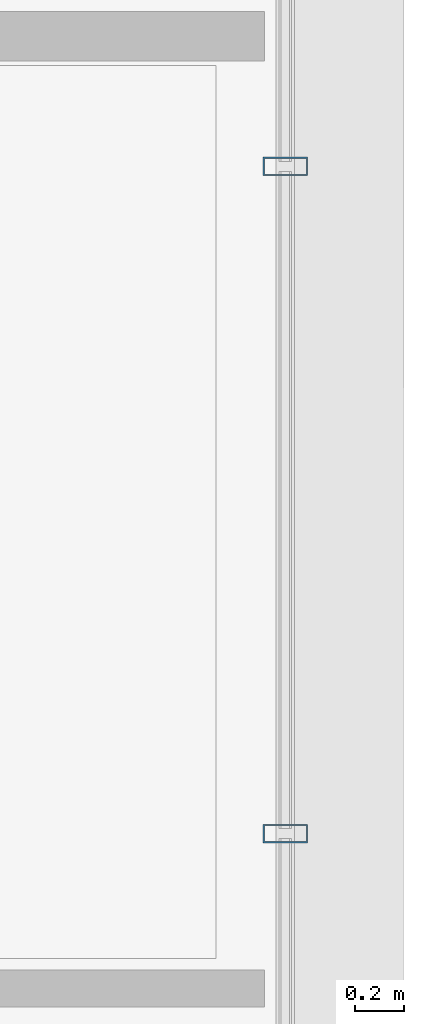
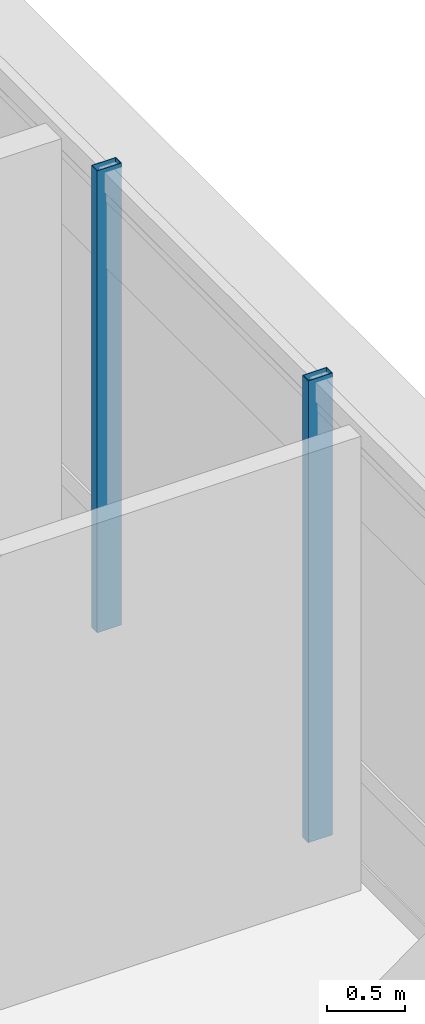
# One storey, part 5 of 14: 2 members, 1 element without a shape of its own.
"""IFC4 building model written with IfcOpenShell, lengths in metres."""

from ifc_helpers import new_model, si_unit, direction, frame, origin, origin_2d, place, context, subcontext, project, spatial, hollow_rectangle, extrude, material, material_profile, profile_set, type_object, element, aggregate, save


model = new_model("IFC4")

# Units and contexts
model_context = context("Model", 3, precision=1e-05, world=origin(), true_north=direction((0.0, 1.0)))
body_context = subcontext(model_context, "Body", "Model", "MODEL_VIEW")
ifc_project = project(units=[si_unit("LENGTHUNIT", "METRE"), si_unit("AREAUNIT", "SQUARE_METRE"), si_unit("VOLUMEUNIT", "CUBIC_METRE"), si_unit("PLANEANGLEUNIT", "RADIAN"), si_unit("MASSUNIT", "GRAM", prefix="KILO")], contexts=[model_context])

# Site, building, storey
site_placement = place(None, origin())
site = spatial("IfcSite", under=ifc_project, at=site_placement, CompositionType="ELEMENT")
building_placement = place(site_placement, origin())
building = spatial("IfcBuilding", under=site, at=building_placement, Name="Zulverin Broadcast Headquarters", CompositionType="ELEMENT")
storey_placement = place(building_placement, frame((0.0, 0.0, 201.0)))
storey = spatial("IfcBuildingStorey", under=building, at=storey_placement, Name="L51", CompositionType="ELEMENT", Elevation=201.0)

# Curtain wall, members
ifc_material_1 = material(Name="Waist wind-pressure unitised curtain wall", Category="aluminium")
curtain_wall_type = type_object("IfcCurtainWallType", Name="CW-TWR-WST", PredefinedType="USERDEFINED", material=ifc_material_1)
curtain_wall_placement = place(storey_placement, origin())
curtain_wall = element("IfcCurtainWall", 1, at=curtain_wall_placement, inside=storey, type_object=curtain_wall_type, Name="L51 Unitised Curtain Wall CW-L51-E3", ObjectType="UNITISED CURTAIN WALL", PredefinedType="USERDEFINED")
ifc_material_2 = material(Name="Anodized pale-metal aluminium alloy 6063-T6", Category="aluminium")
ifc_material_profile = material_profile(ifc_material_2, hollow_rectangle(XDim=0.074951171875, YDim=0.179931640625, WallThickness=0.0048828125, at=origin_2d()), Name="Anodized pale-metal aluminium alloy 6063-T6", Category="aluminium")
ifc_profile_set = profile_set([ifc_material_profile], Name="Anodized pale-metal aluminium alloy 6063-T6")
member_type = type_object("IfcMemberType", Name="CW-MUL-180", PredefinedType="MULLION", material=ifc_profile_set)
member_1_placement = place(storey_placement, frame((63.679931640625, 27.176513671875, -0.030029296875), z_axis=(0.0, 0.0, 1.0), x_axis=(0.0, 1.0, 0.0)))
member_1 = element("IfcMember", 2, at=member_1_placement, type_object=member_type, Name="CW-L51-E3 Mullion 04", PredefinedType="MULLION", context=body_context, shape_type="SweptSolid", body=[
    extrude(hollow_rectangle(XDim=0.074951171875, YDim=0.179931640625, WallThickness=0.0048828125, at=origin_2d()), origin(), (0.0, 0.0, 1.0), 3.60009765625),
])
member_2_placement = place(storey_placement, frame((63.679931640625, 29.873046875, -0.030029296875), z_axis=(0.0, 0.0, 1.0), x_axis=(0.0, 1.0, 0.0)))
member_2 = element("IfcMember", 3, at=member_2_placement, type_object=member_type, Name="CW-L51-E3 Mullion 05", PredefinedType="MULLION", context=body_context, shape_type="SweptSolid", body=[
    extrude(hollow_rectangle(XDim=0.074951171875, YDim=0.179931640625, WallThickness=0.0048828125, at=origin_2d()), origin(), (0.0, 0.0, 1.0), 3.60009765625),
])
aggregate(curtain_wall, [member_1, member_2])

save(model, "model.ifc")
